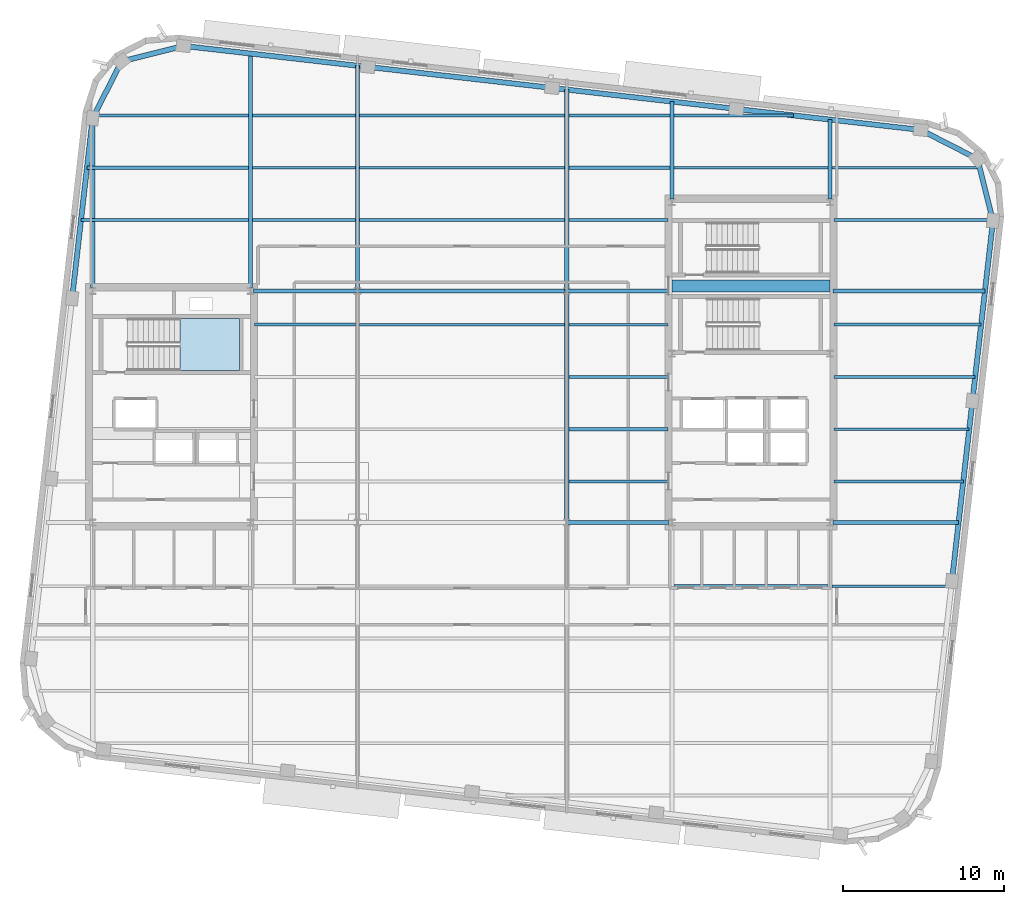
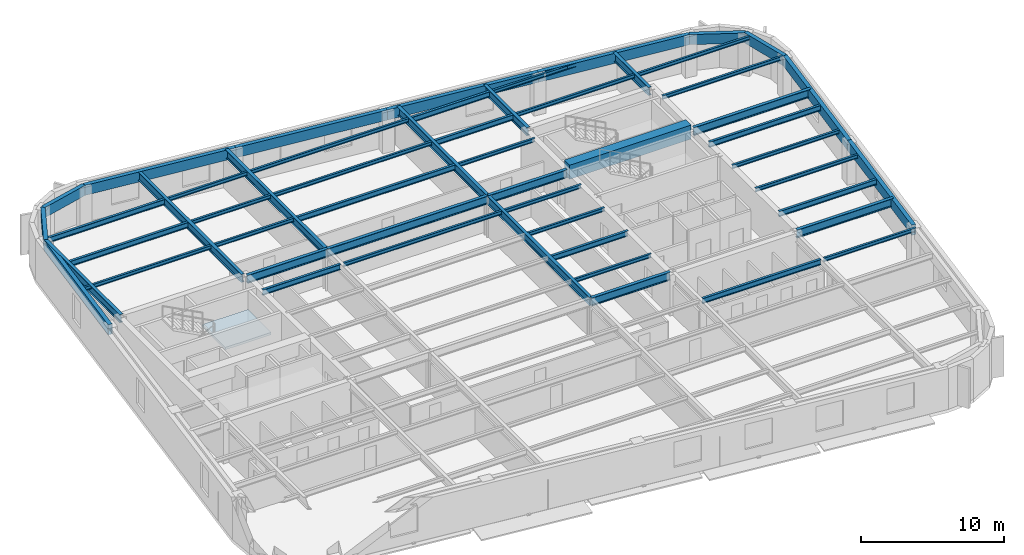
# One storey, part 4 of 14: 53 beams, 1 slab, 1 element without a shape of its own.
"""IFC4 building model written with IfcOpenShell, lengths in metres."""

from ifc_helpers import new_model, si_unit, direction, frame, origin, origin_2d, place, context, subcontext, project, spatial, polyline, rectangle, hollow_rectangle, i_section, outline, extrude, material, layer, layer_set, material_profile, profile_set, type_object, element, aggregate, save


model = new_model("IFC4")

# Units and contexts
model_context = context("Model", 3, precision=1e-05, world=origin(), true_north=direction((0.0, 1.0)))
body_context = subcontext(model_context, "Body", "Model", "MODEL_VIEW")
ifc_project = project(units=[si_unit("LENGTHUNIT", "METRE"), si_unit("AREAUNIT", "SQUARE_METRE"), si_unit("VOLUMEUNIT", "CUBIC_METRE"), si_unit("PLANEANGLEUNIT", "RADIAN"), si_unit("MASSUNIT", "GRAM", prefix="KILO")], contexts=[model_context])

# Site, building, storey
site_placement = place(None, origin())
site = spatial("IfcSite", under=ifc_project, at=site_placement, CompositionType="ELEMENT")
building_placement = place(site_placement, origin())
building = spatial("IfcBuilding", under=site, at=building_placement, Name="Kolvaren Arena Tower", CompositionType="ELEMENT")
storey_placement = place(building_placement, frame((0.0, 0.0, 235.949951171875)))
storey = spatial("IfcBuildingStorey", under=building, at=storey_placement, Name="L57", CompositionType="ELEMENT", Elevation=235.949951171875)

# Beams
ifc_material_1 = material(Name="Steel CSA G40.21 350W", Category="steel")
ifc_material_profile_1 = material_profile(ifc_material_1, i_section(OverallWidth=0.193115234375, OverallDepth=0.462890625, WebThickness=0.0107421875, FlangeThickness=0.0205078125, FilletRadius=0.012939453125, at=origin_2d()), Name="W460x113")
ifc_profile_set_1 = profile_set([ifc_material_profile_1], Name="Steel CSA G40.21 350W")
beam_type_1 = type_object("IfcBeamType", Name="BEAM-F2", PredefinedType="BEAM", material=ifc_profile_set_1)
beam_1_placement = place(storey_placement, frame((50.677490234375, 15.5, 3.24853515625), z_axis=(1.0, 0.0, 0.0), x_axis=(0.0, 1.0, 0.0)))
element("IfcBeam", 1, at=beam_1_placement, inside=storey, type_object=beam_type_1, Name="Composite Floor Beam (L57)", PredefinedType="BEAM", context=body_context, shape_type="SweptSolid", body=[
    extrude(i_section(OverallWidth=0.193115234375, OverallDepth=0.462890625, WebThickness=0.0107421875, FlangeThickness=0.0205078125, FilletRadius=0.012939453125, at=origin_2d()), origin(), (0.0, 0.0, 1.0), 9.544921875),
])
beam_2_placement = place(storey_placement, frame((60.594970703125, 22.0, 3.24853515625), z_axis=(1.0, 0.0, 0.0), x_axis=(0.0, 1.0, 0.0)))
element("IfcBeam", 2, at=beam_2_placement, inside=storey, type_object=beam_type_1, Name="Composite Floor Beam (L57)", PredefinedType="BEAM", context=body_context, shape_type="SweptSolid", body=[
    extrude(i_section(OverallWidth=0.193115234375, OverallDepth=0.462890625, WebThickness=0.0107421875, FlangeThickness=0.0205078125, FilletRadius=0.012939453125, at=origin_2d()), origin(), (0.0, 0.0, 1.0), 8.041015625),
])
beam_3_placement = place(storey_placement, frame((44.12744140625, 25.25, 3.24853515625), z_axis=(1.0, 0.0, 0.0), x_axis=(0.0, 1.0, 0.0)))
element("IfcBeam", 3, at=beam_3_placement, inside=storey, type_object=beam_type_1, Name="Composite Floor Beam (L57)", PredefinedType="BEAM", context=body_context, shape_type="SweptSolid", body=[
    extrude(i_section(OverallWidth=0.193115234375, OverallDepth=0.462890625, WebThickness=0.0107421875, FlangeThickness=0.0205078125, FilletRadius=0.012939453125, at=origin_2d()), origin(), (0.0, 0.0, 1.0), 6.177490234375),
])
beam_4_placement = place(storey_placement, frame((24.594970703125, 31.75, 3.24853515625), z_axis=(1.0, 0.0, 0.0), x_axis=(0.0, 1.0, 0.0)))
element("IfcBeam", 4, at=beam_4_placement, inside=storey, type_object=beam_type_1, Name="Composite Floor Beam (L57)", PredefinedType="BEAM", context=body_context, shape_type="SweptSolid", body=[
    extrude(i_section(OverallWidth=0.193115234375, OverallDepth=0.462890625, WebThickness=0.0107421875, FlangeThickness=0.0205078125, FilletRadius=0.012939453125, at=origin_2d()), origin(), (0.0, 0.0, 1.0), 6.277587890625),
])
beam_5_placement = place(storey_placement, frame((60.594970703125, 31.75, 3.24853515625), z_axis=(1.0, 0.0, 0.0), x_axis=(0.0, 1.0, 0.0)))
element("IfcBeam", 5, at=beam_5_placement, inside=storey, type_object=beam_type_1, Name="Composite Floor Beam (L57)", PredefinedType="BEAM", context=body_context, shape_type="SweptSolid", body=[
    extrude(i_section(OverallWidth=0.193115234375, OverallDepth=0.462890625, WebThickness=0.0107421875, FlangeThickness=0.0205078125, FilletRadius=0.012939453125, at=origin_2d()), origin(), (0.0, 0.0, 1.0), 9.15185546875),
])
beam_6_placement = place(storey_placement, frame((31.12744140625, 38.25, 3.24853515625), z_axis=(1.0, 0.0, 0.0), x_axis=(0.0, 1.0, 0.0)))
element("IfcBeam", 6, at=beam_6_placement, inside=storey, type_object=beam_type_1, Name="Composite Floor Beam (L57)", PredefinedType="BEAM", context=body_context, shape_type="SweptSolid", body=[
    extrude(i_section(OverallWidth=0.193115234375, OverallDepth=0.462890625, WebThickness=0.0107421875, FlangeThickness=0.0205078125, FilletRadius=0.012939453125, at=origin_2d()), origin(), (0.0, 0.0, 1.0), 12.7451171875),
])
beam_7_placement = place(storey_placement, frame((14.193359375, 41.5, 3.24853515625), z_axis=(1.0, 0.0, 0.0), x_axis=(0.0, 1.0, 0.0)))
element("IfcBeam", 7, at=beam_7_placement, inside=storey, type_object=beam_type_1, Name="Composite Floor Beam (L57)", PredefinedType="BEAM", context=body_context, shape_type="SweptSolid", body=[
    extrude(i_section(OverallWidth=0.193115234375, OverallDepth=0.462890625, WebThickness=0.0107421875, FlangeThickness=0.0205078125, FilletRadius=0.012939453125, at=origin_2d()), origin(), (0.0, 0.0, 1.0), 10.029052734375),
])
beam_8_placement = place(storey_placement, frame((44.12744140625, 41.5, 3.24853515625), z_axis=(1.0, 0.0, 0.0), x_axis=(0.0, 1.0, 0.0)))
element("IfcBeam", 8, at=beam_8_placement, inside=storey, type_object=beam_type_1, Name="Composite Floor Beam (L57)", PredefinedType="BEAM", context=body_context, shape_type="SweptSolid", body=[
    extrude(i_section(OverallWidth=0.193115234375, OverallDepth=0.462890625, WebThickness=0.0107421875, FlangeThickness=0.0205078125, FilletRadius=0.012939453125, at=origin_2d()), origin(), (0.0, 0.0, 1.0), 6.295166015625),
])
beam_9_placement = place(storey_placement, frame((14.632080078125, 44.75, 3.24853515625), z_axis=(1.0, 0.0, 0.0), x_axis=(0.0, 1.0, 0.0)))
element("IfcBeam", 9, at=beam_9_placement, inside=storey, type_object=beam_type_1, Name="Composite Floor Beam (L57)", PredefinedType="BEAM", context=body_context, shape_type="SweptSolid", body=[
    extrude(i_section(OverallWidth=0.193115234375, OverallDepth=0.462890625, WebThickness=0.0107421875, FlangeThickness=0.0205078125, FilletRadius=0.012939453125, at=origin_2d()), origin(), (0.0, 0.0, 1.0), 9.59033203125),
])
beam_10_placement = place(storey_placement, frame((44.12744140625, 44.75, 3.24853515625), z_axis=(1.0, 0.0, 0.0), x_axis=(0.0, 1.0, 0.0)))
element("IfcBeam", 10, at=beam_10_placement, inside=storey, type_object=beam_type_1, Name="Composite Floor Beam (L57)", PredefinedType="BEAM", context=body_context, shape_type="SweptSolid", body=[
    extrude(i_section(OverallWidth=0.193115234375, OverallDepth=0.462890625, WebThickness=0.0107421875, FlangeThickness=0.0205078125, FilletRadius=0.012939453125, at=origin_2d()), origin(), (0.0, 0.0, 1.0), 6.295166015625),
])
ifc_material_2 = material(Name="Concrete 60 MPa", Category="concrete")
ifc_material_profile_2 = material_profile(ifc_material_2, rectangle(XDim=0.75, YDim=1.199951171875, at=origin_2d()), Name="RC-750x1200")
ifc_profile_set_2 = profile_set([ifc_material_profile_2], Name="Concrete 60 MPa")
beam_type_2 = type_object("IfcBeamType", Name="CB-CORE-2", PredefinedType="BEAM", material=ifc_profile_set_2)
beam_11_placement = place(storey_placement, frame((50.550048828125, 34.14990234375, 3.150146484375), z_axis=(1.0, 0.0, 0.0), x_axis=(0.0, 1.0, 0.0)))
element("IfcBeam", 11, at=beam_11_placement, inside=storey, type_object=beam_type_2, Name="East Core Coupling Beam (L57)", PredefinedType="BEAM", context=body_context, shape_type="SweptSolid", body=[
    extrude(rectangle(XDim=0.75, YDim=1.199951171875, at=origin_2d()), origin(), (0.0, 0.0, 1.0), 9.800048828125),
])
ifc_material_profile_3 = material_profile(ifc_material_1, i_section(OverallWidth=0.2548828125, OverallDepth=0.695068359375, WebThickness=0.01708984375, FlangeThickness=0.02978515625, FilletRadius=0.01611328125, at=origin_2d()), Name="W690x217")
ifc_profile_set_3 = profile_set([ifc_material_profile_3], Name="Steel CSA G40.21 350W")
beam_type_3 = type_object("IfcBeamType", Name="GIRD-T2", PredefinedType="BEAM", material=ifc_profile_set_3)
beam_12_placement = place(storey_placement, frame((44.0, 19.449951171875, 3.132568359375), z_axis=(1.0, 0.0, 0.0), x_axis=(0.0, 1.0, 0.0)))
element("IfcBeam", 12, at=beam_12_placement, inside=storey, type_object=beam_type_3, Name="Primary Floor Girder (L57)", PredefinedType="BEAM", context=body_context, shape_type="SweptSolid", body=[
    extrude(i_section(OverallWidth=0.2548828125, OverallDepth=0.695068359375, WebThickness=0.01708984375, FlangeThickness=0.02978515625, FilletRadius=0.01611328125, at=origin_2d()), origin(), (0.0, 0.0, 1.0), 6.344970703125),
])
beam_13_placement = place(storey_placement, frame((60.554931640625, 19.449951171875, 3.132568359375), z_axis=(1.0, 0.0, 0.0), x_axis=(0.0, 1.0, 0.0)))
element("IfcBeam", 13, at=beam_13_placement, inside=storey, type_object=beam_type_3, Name="Primary Floor Girder (L57)", PredefinedType="BEAM", context=body_context, shape_type="SweptSolid", body=[
    extrude(i_section(OverallWidth=0.2548828125, OverallDepth=0.695068359375, WebThickness=0.01708984375, FlangeThickness=0.02978515625, FilletRadius=0.01611328125, at=origin_2d()), origin(), (0.0, 0.0, 1.0), 7.790283203125),
])
beam_14_placement = place(storey_placement, frame((24.554931640625, 33.85009765625, 3.132568359375), z_axis=(1.0, 0.0, 0.0), x_axis=(0.0, 1.0, 0.0)))
element("IfcBeam", 14, at=beam_14_placement, inside=storey, type_object=beam_type_3, Name="Primary Floor Girder (L57)", PredefinedType="BEAM", context=body_context, shape_type="SweptSolid", body=[
    extrude(i_section(OverallWidth=0.2548828125, OverallDepth=0.695068359375, WebThickness=0.01708984375, FlangeThickness=0.02978515625, FilletRadius=0.01611328125, at=origin_2d()), origin(), (0.0, 0.0, 1.0), 6.445068359375),
])
beam_15_placement = place(storey_placement, frame((31.0, 33.85009765625, 3.132568359375), z_axis=(1.0, 0.0, 0.0), x_axis=(0.0, 1.0, 0.0)))
element("IfcBeam", 15, at=beam_15_placement, inside=storey, type_object=beam_type_3, Name="Primary Floor Girder (L57)", PredefinedType="BEAM", context=body_context, shape_type="SweptSolid", body=[
    extrude(i_section(OverallWidth=0.2548828125, OverallDepth=0.695068359375, WebThickness=0.01708984375, FlangeThickness=0.02978515625, FilletRadius=0.01611328125, at=origin_2d()), origin(), (0.0, 0.0, 1.0), 13.0),
])
beam_16_placement = place(storey_placement, frame((44.0, 33.85009765625, 3.132568359375), z_axis=(1.0, 0.0, 0.0), x_axis=(0.0, 1.0, 0.0)))
element("IfcBeam", 16, at=beam_16_placement, inside=storey, type_object=beam_type_3, Name="Primary Floor Girder (L57)", PredefinedType="BEAM", context=body_context, shape_type="SweptSolid", body=[
    extrude(i_section(OverallWidth=0.2548828125, OverallDepth=0.695068359375, WebThickness=0.01708984375, FlangeThickness=0.02978515625, FilletRadius=0.01611328125, at=origin_2d()), origin(), (0.0, 0.0, 1.0), 6.344970703125),
])
beam_17_placement = place(storey_placement, frame((60.554931640625, 33.85009765625, 3.132568359375), z_axis=(1.0, 0.0, 0.0), x_axis=(0.0, 1.0, 0.0)))
element("IfcBeam", 17, at=beam_17_placement, inside=storey, type_object=beam_type_3, Name="Primary Floor Girder (L57)", PredefinedType="BEAM", context=body_context, shape_type="SweptSolid", body=[
    extrude(i_section(OverallWidth=0.2548828125, OverallDepth=0.695068359375, WebThickness=0.01708984375, FlangeThickness=0.02978515625, FilletRadius=0.01611328125, at=origin_2d()), origin(), (0.0, 0.0, 1.0), 9.43115234375),
])
beam_18_placement = place(storey_placement, frame((14.550048828125, 34.054931640625, 3.132568359375), z_axis=(0.0, 1.0, 0.0), x_axis=(-1.0, 0.0, 0.0)))
element("IfcBeam", 18, at=beam_18_placement, inside=storey, type_object=beam_type_3, Name="Primary Floor Girder (L57)", PredefinedType="BEAM", context=body_context, shape_type="SweptSolid", body=[
    extrude(i_section(OverallWidth=0.2548828125, OverallDepth=0.695068359375, WebThickness=0.01708984375, FlangeThickness=0.02978515625, FilletRadius=0.01611328125, at=origin_2d()), origin(), (0.0, 0.0, 1.0), 10.53466796875),
])
beam_19_placement = place(storey_placement, frame((24.35009765625, 34.054931640625, 3.132568359375), z_axis=(0.0, 1.0, 0.0), x_axis=(-1.0, 0.0, 0.0)))
element("IfcBeam", 19, at=beam_19_placement, inside=storey, type_object=beam_type_3, Name="Primary Floor Girder (L57)", PredefinedType="BEAM", context=body_context, shape_type="SweptSolid", body=[
    extrude(i_section(OverallWidth=0.2548828125, OverallDepth=0.695068359375, WebThickness=0.01708984375, FlangeThickness=0.02978515625, FilletRadius=0.01611328125, at=origin_2d()), origin(), (0.0, 0.0, 1.0), 14.538818359375),
])
beam_20_placement = place(storey_placement, frame((31.0, 33.85009765625, 3.132568359375), z_axis=(0.0, 1.0, 0.0), x_axis=(-1.0, 0.0, 0.0)))
element("IfcBeam", 20, at=beam_20_placement, inside=storey, type_object=beam_type_3, Name="Primary Floor Girder (L57)", PredefinedType="BEAM", context=body_context, shape_type="SweptSolid", body=[
    extrude(i_section(OverallWidth=0.2548828125, OverallDepth=0.695068359375, WebThickness=0.01708984375, FlangeThickness=0.02978515625, FilletRadius=0.01611328125, at=origin_2d()), origin(), (0.0, 0.0, 1.0), 13.986083984375),
])
beam_21_placement = place(storey_placement, frame((44.0, 19.449951171875, 3.132568359375), z_axis=(0.0, 1.0, 0.0), x_axis=(-1.0, 0.0, 0.0)))
element("IfcBeam", 21, at=beam_21_placement, inside=storey, type_object=beam_type_3, Name="Primary Floor Girder (L57)", PredefinedType="BEAM", context=body_context, shape_type="SweptSolid", body=[
    extrude(i_section(OverallWidth=0.2548828125, OverallDepth=0.695068359375, WebThickness=0.01708984375, FlangeThickness=0.02978515625, FilletRadius=0.01611328125, at=origin_2d()), origin(), (0.0, 0.0, 1.0), 14.400146484375),
])
beam_22_placement = place(storey_placement, frame((44.0, 33.85009765625, 3.132568359375), z_axis=(0.0, 1.0, 0.0), x_axis=(-1.0, 0.0, 0.0)))
element("IfcBeam", 22, at=beam_22_placement, inside=storey, type_object=beam_type_3, Name="Primary Floor Girder (L57)", PredefinedType="BEAM", context=body_context, shape_type="SweptSolid", body=[
    extrude(i_section(OverallWidth=0.2548828125, OverallDepth=0.695068359375, WebThickness=0.01708984375, FlangeThickness=0.02978515625, FilletRadius=0.01611328125, at=origin_2d()), origin(), (0.0, 0.0, 1.0), 12.5048828125),
])
beam_23_placement = place(storey_placement, frame((50.550048828125, 39.554931640625, 3.132568359375), z_axis=(0.0, 1.0, 0.0), x_axis=(-1.0, 0.0, 0.0)))
element("IfcBeam", 23, at=beam_23_placement, inside=storey, type_object=beam_type_3, Name="Primary Floor Girder (L57)", PredefinedType="BEAM", context=body_context, shape_type="SweptSolid", body=[
    extrude(i_section(OverallWidth=0.2548828125, OverallDepth=0.695068359375, WebThickness=0.01708984375, FlangeThickness=0.02978515625, FilletRadius=0.01611328125, at=origin_2d()), origin(), (0.0, 0.0, 1.0), 6.0537109375),
])
beam_24_placement = place(storey_placement, frame((60.35009765625, 39.554931640625, 3.132568359375), z_axis=(0.0, 1.0, 0.0), x_axis=(-1.0, 0.0, 0.0)))
element("IfcBeam", 24, at=beam_24_placement, inside=storey, type_object=beam_type_3, Name="Primary Floor Girder (L57)", PredefinedType="BEAM", context=body_context, shape_type="SweptSolid", body=[
    extrude(i_section(OverallWidth=0.2548828125, OverallDepth=0.695068359375, WebThickness=0.01708984375, FlangeThickness=0.02978515625, FilletRadius=0.01611328125, at=origin_2d()), origin(), (0.0, 0.0, 1.0), 4.937255859375),
])
ifc_material_profile_4 = material_profile(ifc_material_1, i_section(OverallWidth=0.1669921875, OverallDepth=0.31689453125, WebThickness=0.007568359375, FlangeThickness=0.01318359375, FilletRadius=0.010009765625, at=origin_2d()), Name="W310x52")
ifc_profile_set_4 = profile_set([ifc_material_profile_4], Name="Steel CSA G40.21 350W")
beam_type_4 = type_object("IfcBeamType", Name="JOIST-02", PredefinedType="JOIST", material=ifc_profile_set_4)
beam_25_placement = place(storey_placement, frame((60.4775390625, 15.5, 3.321533203125), z_axis=(1.0, 0.0, 0.0), x_axis=(0.0, 1.0, 0.0)))
element("IfcBeam", 25, at=beam_25_placement, inside=storey, type_object=beam_type_4, Name="Composite Floor Joist (L57)", PredefinedType="JOIST", context=body_context, shape_type="SweptSolid", body=[
    extrude(i_section(OverallWidth=0.1669921875, OverallDepth=0.31689453125, WebThickness=0.007568359375, FlangeThickness=0.01318359375, FilletRadius=0.010009765625, at=origin_2d()), origin(), (0.0, 0.0, 1.0), 7.417724609375),
])
beam_26_placement = place(storey_placement, frame((44.12744140625, 22.0, 3.321533203125), z_axis=(1.0, 0.0, 0.0), x_axis=(0.0, 1.0, 0.0)))
element("IfcBeam", 26, at=beam_26_placement, inside=storey, type_object=beam_type_4, Name="Composite Floor Joist (L57)", PredefinedType="JOIST", context=body_context, shape_type="SweptSolid", body=[
    extrude(i_section(OverallWidth=0.1669921875, OverallDepth=0.31689453125, WebThickness=0.007568359375, FlangeThickness=0.01318359375, FilletRadius=0.010009765625, at=origin_2d()), origin(), (0.0, 0.0, 1.0), 6.177490234375),
])
beam_27_placement = place(storey_placement, frame((60.594970703125, 25.25, 3.321533203125), z_axis=(1.0, 0.0, 0.0), x_axis=(0.0, 1.0, 0.0)))
element("IfcBeam", 27, at=beam_27_placement, inside=storey, type_object=beam_type_4, Name="Composite Floor Joist (L57)", PredefinedType="JOIST", context=body_context, shape_type="SweptSolid", body=[
    extrude(i_section(OverallWidth=0.1669921875, OverallDepth=0.31689453125, WebThickness=0.007568359375, FlangeThickness=0.01318359375, FilletRadius=0.010009765625, at=origin_2d()), origin(), (0.0, 0.0, 1.0), 8.4111328125),
])
beam_28_placement = place(storey_placement, frame((44.12744140625, 28.5, 3.321533203125), z_axis=(1.0, 0.0, 0.0), x_axis=(0.0, 1.0, 0.0)))
element("IfcBeam", 28, at=beam_28_placement, inside=storey, type_object=beam_type_4, Name="Composite Floor Joist (L57)", PredefinedType="JOIST", context=body_context, shape_type="SweptSolid", body=[
    extrude(i_section(OverallWidth=0.1669921875, OverallDepth=0.31689453125, WebThickness=0.007568359375, FlangeThickness=0.01318359375, FilletRadius=0.010009765625, at=origin_2d()), origin(), (0.0, 0.0, 1.0), 6.177490234375),
])
beam_29_placement = place(storey_placement, frame((60.594970703125, 28.5, 3.321533203125), z_axis=(1.0, 0.0, 0.0), x_axis=(0.0, 1.0, 0.0)))
element("IfcBeam", 29, at=beam_29_placement, inside=storey, type_object=beam_type_4, Name="Composite Floor Joist (L57)", PredefinedType="JOIST", context=body_context, shape_type="SweptSolid", body=[
    extrude(i_section(OverallWidth=0.1669921875, OverallDepth=0.31689453125, WebThickness=0.007568359375, FlangeThickness=0.01318359375, FilletRadius=0.010009765625, at=origin_2d()), origin(), (0.0, 0.0, 1.0), 8.781494140625),
])
beam_30_placement = place(storey_placement, frame((31.12744140625, 31.75, 3.321533203125), z_axis=(1.0, 0.0, 0.0), x_axis=(0.0, 1.0, 0.0)))
element("IfcBeam", 30, at=beam_30_placement, inside=storey, type_object=beam_type_4, Name="Composite Floor Joist (L57)", PredefinedType="JOIST", context=body_context, shape_type="SweptSolid", body=[
    extrude(i_section(OverallWidth=0.1669921875, OverallDepth=0.31689453125, WebThickness=0.007568359375, FlangeThickness=0.01318359375, FilletRadius=0.010009765625, at=origin_2d()), origin(), (0.0, 0.0, 1.0), 12.7451171875),
])
beam_31_placement = place(storey_placement, frame((44.12744140625, 31.75, 3.321533203125), z_axis=(1.0, 0.0, 0.0), x_axis=(0.0, 1.0, 0.0)))
element("IfcBeam", 31, at=beam_31_placement, inside=storey, type_object=beam_type_4, Name="Composite Floor Joist (L57)", PredefinedType="JOIST", context=body_context, shape_type="SweptSolid", body=[
    extrude(i_section(OverallWidth=0.1669921875, OverallDepth=0.31689453125, WebThickness=0.007568359375, FlangeThickness=0.01318359375, FilletRadius=0.010009765625, at=origin_2d()), origin(), (0.0, 0.0, 1.0), 6.177490234375),
])
beam_32_placement = place(storey_placement, frame((13.822998046875, 38.25, 3.321533203125), z_axis=(1.0, 0.0, 0.0), x_axis=(0.0, 1.0, 0.0)))
element("IfcBeam", 32, at=beam_32_placement, inside=storey, type_object=beam_type_4, Name="Composite Floor Joist (L57)", PredefinedType="JOIST", context=body_context, shape_type="SweptSolid", body=[
    extrude(i_section(OverallWidth=0.1669921875, OverallDepth=0.31689453125, WebThickness=0.007568359375, FlangeThickness=0.01318359375, FilletRadius=0.010009765625, at=origin_2d()), origin(), (0.0, 0.0, 1.0), 10.3994140625),
])
beam_33_placement = place(storey_placement, frame((24.4775390625, 38.25, 3.321533203125), z_axis=(1.0, 0.0, 0.0), x_axis=(0.0, 1.0, 0.0)))
element("IfcBeam", 33, at=beam_33_placement, inside=storey, type_object=beam_type_4, Name="Composite Floor Joist (L57)", PredefinedType="JOIST", context=body_context, shape_type="SweptSolid", body=[
    extrude(i_section(OverallWidth=0.1669921875, OverallDepth=0.31689453125, WebThickness=0.007568359375, FlangeThickness=0.01318359375, FilletRadius=0.010009765625, at=origin_2d()), origin(), (0.0, 0.0, 1.0), 6.39501953125),
])
beam_34_placement = place(storey_placement, frame((44.12744140625, 38.25, 3.321533203125), z_axis=(1.0, 0.0, 0.0), x_axis=(0.0, 1.0, 0.0)))
element("IfcBeam", 34, at=beam_34_placement, inside=storey, type_object=beam_type_4, Name="Composite Floor Joist (L57)", PredefinedType="JOIST", context=body_context, shape_type="SweptSolid", body=[
    extrude(i_section(OverallWidth=0.1669921875, OverallDepth=0.31689453125, WebThickness=0.007568359375, FlangeThickness=0.01318359375, FilletRadius=0.010009765625, at=origin_2d()), origin(), (0.0, 0.0, 1.0), 6.177490234375),
])
beam_35_placement = place(storey_placement, frame((60.594970703125, 38.25, 3.321533203125), z_axis=(1.0, 0.0, 0.0), x_axis=(0.0, 1.0, 0.0)))
element("IfcBeam", 35, at=beam_35_placement, inside=storey, type_object=beam_type_4, Name="Composite Floor Joist (L57)", PredefinedType="JOIST", context=body_context, shape_type="SweptSolid", body=[
    extrude(i_section(OverallWidth=0.1669921875, OverallDepth=0.31689453125, WebThickness=0.007568359375, FlangeThickness=0.01318359375, FilletRadius=0.010009765625, at=origin_2d()), origin(), (0.0, 0.0, 1.0), 9.8759765625),
])
beam_36_placement = place(storey_placement, frame((24.4775390625, 41.5, 3.321533203125), z_axis=(1.0, 0.0, 0.0), x_axis=(0.0, 1.0, 0.0)))
element("IfcBeam", 36, at=beam_36_placement, inside=storey, type_object=beam_type_4, Name="Composite Floor Joist (L57)", PredefinedType="JOIST", context=body_context, shape_type="SweptSolid", body=[
    extrude(i_section(OverallWidth=0.1669921875, OverallDepth=0.31689453125, WebThickness=0.007568359375, FlangeThickness=0.01318359375, FilletRadius=0.010009765625, at=origin_2d()), origin(), (0.0, 0.0, 1.0), 6.39501953125),
])
beam_37_placement = place(storey_placement, frame((31.12744140625, 41.5, 3.321533203125), z_axis=(1.0, 0.0, 0.0), x_axis=(0.0, 1.0, 0.0)))
element("IfcBeam", 37, at=beam_37_placement, inside=storey, type_object=beam_type_4, Name="Composite Floor Joist (L57)", PredefinedType="JOIST", context=body_context, shape_type="SweptSolid", body=[
    extrude(i_section(OverallWidth=0.1669921875, OverallDepth=0.31689453125, WebThickness=0.007568359375, FlangeThickness=0.01318359375, FilletRadius=0.010009765625, at=origin_2d()), origin(), (0.0, 0.0, 1.0), 12.7451171875),
])
beam_38_placement = place(storey_placement, frame((50.677490234375, 41.5, 3.321533203125), z_axis=(1.0, 0.0, 0.0), x_axis=(0.0, 1.0, 0.0)))
element("IfcBeam", 38, at=beam_38_placement, inside=storey, type_object=beam_type_4, Name="Composite Floor Joist (L57)", PredefinedType="JOIST", context=body_context, shape_type="SweptSolid", body=[
    extrude(i_section(OverallWidth=0.1669921875, OverallDepth=0.31689453125, WebThickness=0.007568359375, FlangeThickness=0.01318359375, FilletRadius=0.010009765625, at=origin_2d()), origin(), (0.0, 0.0, 1.0), 9.544921875),
])
beam_39_placement = place(storey_placement, frame((60.4775390625, 41.5, 3.321533203125), z_axis=(1.0, 0.0, 0.0), x_axis=(0.0, 1.0, 0.0)))
element("IfcBeam", 39, at=beam_39_placement, inside=storey, type_object=beam_type_4, Name="Composite Floor Joist (L57)", PredefinedType="JOIST", context=body_context, shape_type="SweptSolid", body=[
    extrude(i_section(OverallWidth=0.1669921875, OverallDepth=0.31689453125, WebThickness=0.007568359375, FlangeThickness=0.01318359375, FilletRadius=0.010009765625, at=origin_2d()), origin(), (0.0, 0.0, 1.0), 9.17919921875),
])
beam_40_placement = place(storey_placement, frame((24.4775390625, 44.75, 3.321533203125), z_axis=(1.0, 0.0, 0.0), x_axis=(0.0, 1.0, 0.0)))
element("IfcBeam", 40, at=beam_40_placement, inside=storey, type_object=beam_type_4, Name="Composite Floor Joist (L57)", PredefinedType="JOIST", context=body_context, shape_type="SweptSolid", body=[
    extrude(i_section(OverallWidth=0.1669921875, OverallDepth=0.31689453125, WebThickness=0.007568359375, FlangeThickness=0.01318359375, FilletRadius=0.010009765625, at=origin_2d()), origin(), (0.0, 0.0, 1.0), 6.39501953125),
])
beam_41_placement = place(storey_placement, frame((31.12744140625, 44.75, 3.321533203125), z_axis=(1.0, 0.0, 0.0), x_axis=(0.0, 1.0, 0.0)))
element("IfcBeam", 41, at=beam_41_placement, inside=storey, type_object=beam_type_4, Name="Composite Floor Joist (L57)", PredefinedType="JOIST", context=body_context, shape_type="SweptSolid", body=[
    extrude(i_section(OverallWidth=0.1669921875, OverallDepth=0.31689453125, WebThickness=0.007568359375, FlangeThickness=0.01318359375, FilletRadius=0.010009765625, at=origin_2d()), origin(), (0.0, 0.0, 1.0), 12.7451171875),
])
beam_42_placement = place(storey_placement, frame((50.677490234375, 44.75, 3.321533203125), z_axis=(1.0, 0.0, 0.0), x_axis=(0.0, 1.0, 0.0)))
element("IfcBeam", 42, at=beam_42_placement, inside=storey, type_object=beam_type_4, Name="Composite Floor Joist (L57)", PredefinedType="JOIST", context=body_context, shape_type="SweptSolid", body=[
    extrude(i_section(OverallWidth=0.1669921875, OverallDepth=0.31689453125, WebThickness=0.007568359375, FlangeThickness=0.01318359375, FilletRadius=0.010009765625, at=origin_2d()), origin(), (0.0, 0.0, 1.0), 7.40869140625),
])
ifc_material_3 = material(Name="Steel CSA G40.21 350WT", Category="steel")
ifc_material_profile_5 = material_profile(ifc_material_3, hollow_rectangle(XDim=0.320068359375, YDim=0.860107421875, WallThickness=0.01806640625, at=origin_2d()), Name="HSS 860x320x18")
ifc_profile_set_5 = profile_set([ifc_material_profile_5], Name="Steel CSA G40.21 350WT")
beam_type_5 = type_object("IfcBeamType", Name="SPAND-02", PredefinedType="SPANDREL", material=ifc_profile_set_5)
beam_43_placement = place(storey_placement, frame((67.931396484375, 15.816162109375, 3.050048828125), z_axis=(0.113199459318, 0.993572283435, 0.0), x_axis=(-0.993572283435, 0.113199459318, 0.0)))
element("IfcBeam", 43, at=beam_43_placement, inside=storey, type_object=beam_type_5, Name="Perimeter Spandrel Beam (L57)", PredefinedType="SPANDREL", context=body_context, shape_type="SweptSolid", body=[
    extrude(hollow_rectangle(XDim=0.320068359375, YDim=0.860107421875, WallThickness=0.01806640625, at=origin_2d()), origin(), (0.0, 0.0, 1.0), 11.266845703125),
])
beam_44_placement = place(storey_placement, frame((69.206787109375, 27.010498046875, 3.050048828125), z_axis=(0.113201896536, 0.993572005755, 0.0), x_axis=(-0.993572005755, 0.113201896536, 0.0)))
element("IfcBeam", 44, at=beam_44_placement, inside=storey, type_object=beam_type_5, Name="Perimeter Spandrel Beam (L57)", PredefinedType="SPANDREL", context=body_context, shape_type="SweptSolid", body=[
    extrude(hollow_rectangle(XDim=0.320068359375, YDim=0.860107421875, WallThickness=0.01806640625, at=origin_2d()), origin(), (0.0, 0.0, 1.0), 11.2666015625),
])
for number, where, z_axis, x_axis, name in (
    (45, (70.482177734375, 38.20458984375, 3.050048828125), (-0.242956154878, 0.970037270834, 0.0), (-0.970037270834, -0.242956154878, 0.0), "Perimeter Spandrel Beam (L57)"),
    (46, (69.519775390625, 42.047119140625, 3.050048828125), (-0.890535676656, 0.454913407807, 0.0), (-0.454913407807, -0.890535676656, 0.0), "Perimeter Spandrel Beam (L57)"),
):
    element("IfcBeam", number, at=place(storey_placement, frame(where, z_axis=z_axis, x_axis=x_axis)), inside=storey, type_object=beam_type_5, Name=name, PredefinedType="SPANDREL", context=body_context, shape_type="SweptSolid", body=[
        extrude(hollow_rectangle(XDim=0.320068359375, YDim=0.860107421875, WallThickness=0.01806640625, at=origin_2d()), origin(), (0.0, 0.0, 1.0), 3.961181640625),
    ])
beam_45_placement = place(storey_placement, frame((65.9921875, 43.84912109375, 3.050048828125), z_axis=(-0.993571397957, 0.113207231049, 0.0), x_axis=(-0.113207231049, -0.993571397957, 0.0)))
element("IfcBeam", 47, at=beam_45_placement, inside=storey, type_object=beam_type_5, Name="Perimeter Spandrel Beam (L57)", PredefinedType="SPANDREL", context=body_context, shape_type="SweptSolid", body=[
    extrude(hollow_rectangle(XDim=0.320068359375, YDim=0.860107421875, WallThickness=0.01806640625, at=origin_2d()), origin(), (0.0, 0.0, 1.0), 11.524658203125),
])
for number, where, z_axis, x_axis, name in (
    (48, (54.54150390625, 45.15380859375, 3.050048828125), (-0.99357166944, 0.113204848336, 0.0), (-0.113204848336, -0.99357166944, 0.0), "Perimeter Spandrel Beam (L57)"),
    (49, (43.090576171875, 46.45849609375, 3.050048828125), (-0.99357166944, 0.113204848336, 0.0), (-0.113204848336, -0.99357166944, 0.0), "Perimeter Spandrel Beam (L57)"),
    (50, (31.6396484375, 47.76318359375, 3.050048828125), (-0.99357166944, 0.113204848336, 0.0), (-0.113204848336, -0.99357166944, 0.0), "Perimeter Spandrel Beam (L57)"),
):
    element("IfcBeam", number, at=place(storey_placement, frame(where, z_axis=z_axis, x_axis=x_axis)), inside=storey, type_object=beam_type_5, Name=name, PredefinedType="SPANDREL", context=body_context, shape_type="SweptSolid", body=[
        extrude(hollow_rectangle(XDim=0.320068359375, YDim=0.860107421875, WallThickness=0.01806640625, at=origin_2d()), origin(), (0.0, 0.0, 1.0), 11.52490234375),
    ])
for number, where, z_axis, x_axis, name in (
    (51, (20.188720703125, 49.06787109375, 3.050048828125), (-0.970037270834, -0.242956154878, 0.0), (0.242956154878, -0.970037270834, 0.0), "Perimeter Spandrel Beam (L57)"),
    (52, (16.34619140625, 48.10546875, 3.050048828125), (-0.454913407807, -0.890535676656, 0.0), (0.890535676656, -0.454913407807, 0.0), "Perimeter Spandrel Beam (L57)"),
):
    element("IfcBeam", number, at=place(storey_placement, frame(where, z_axis=z_axis, x_axis=x_axis)), inside=storey, type_object=beam_type_5, Name=name, PredefinedType="SPANDREL", context=body_context, shape_type="SweptSolid", body=[
        extrude(hollow_rectangle(XDim=0.320068359375, YDim=0.860107421875, WallThickness=0.01806640625, at=origin_2d()), origin(), (0.0, 0.0, 1.0), 3.961181640625),
    ])
beam_46_placement = place(storey_placement, frame((14.544189453125, 44.577880859375, 3.050048828125), z_axis=(-0.113201896536, -0.993572005755, 0.0), x_axis=(0.993572005755, -0.113201896536, 0.0)))
element("IfcBeam", 53, at=beam_46_placement, inside=storey, type_object=beam_type_5, Name="Perimeter Spandrel Beam (L57)", PredefinedType="SPANDREL", context=body_context, shape_type="SweptSolid", body=[
    extrude(hollow_rectangle(XDim=0.320068359375, YDim=0.860107421875, WallThickness=0.01806640625, at=origin_2d()), origin(), (0.0, 0.0, 1.0), 11.2666015625),
])

# Stair, slab
ifc_material_4 = material(Name="Concrete 45 MPa", Category="concrete")
stair_type = type_object("IfcStairType", Name="STAIR-CORE-165", PredefinedType="HALF_TURN_STAIR", material=ifc_material_4)
stair_placement = place(storey_placement, origin())
stair = element("IfcStair", 54, at=stair_placement, inside=storey, type_object=stair_type, Name="L57 ST-W1", PredefinedType="HALF_TURN_STAIR")
ifc_layer = layer(ifc_material_4, 0.199951171875)
ifc_layer_set = layer_set([ifc_layer], Name="Concrete 45 MPa")
slab_type = type_object("IfcSlabType", Name="SLAB-LAND", PredefinedType="LANDING", material=ifc_layer_set)
slab_placement = place(storey_placement, frame((0.0, 0.0, 1.675048828125)))
slab = element("IfcSlab", 55, at=slab_placement, type_object=slab_type, Name="ST-W1 landing 1", PredefinedType="LANDING", context=body_context, shape_type="SweptSolid", body=[
    extrude(outline(polyline([(19.9599609375, 28.89990234375), (23.659912109375, 28.89990234375), (23.659912109375, 32.1298828125), (19.9599609375, 32.1298828125), (19.9599609375, 28.89990234375)])), origin(), (0.0, 0.0, 1.0), 0.199951171875),
])
aggregate(stair, [slab])

save(model, "model.ifc")
